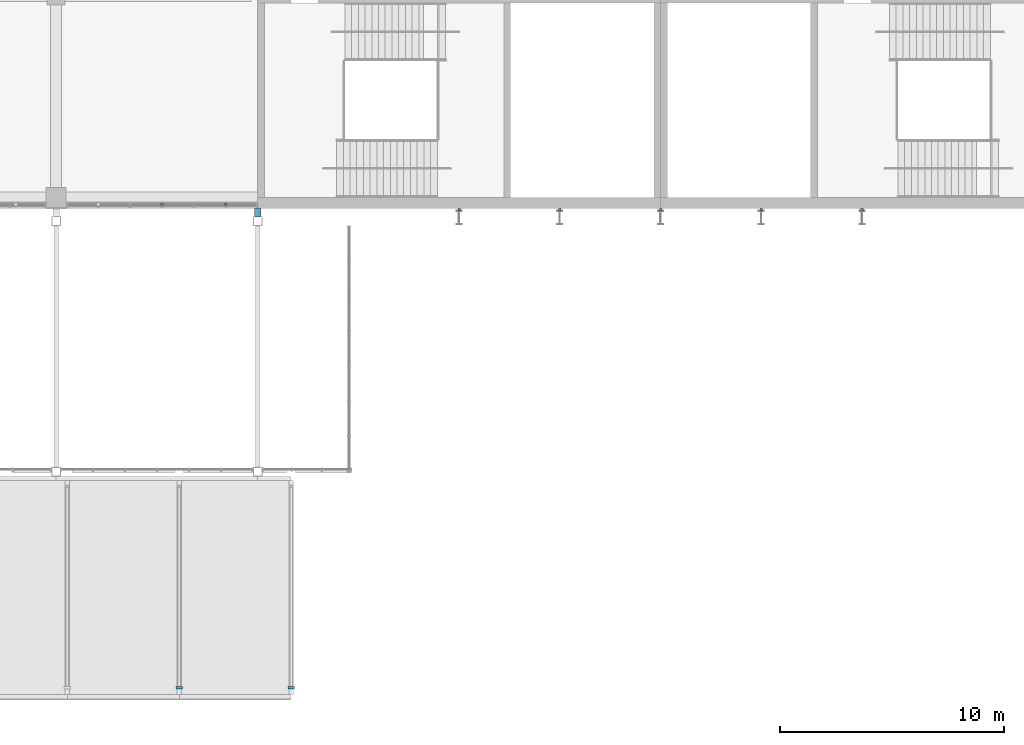
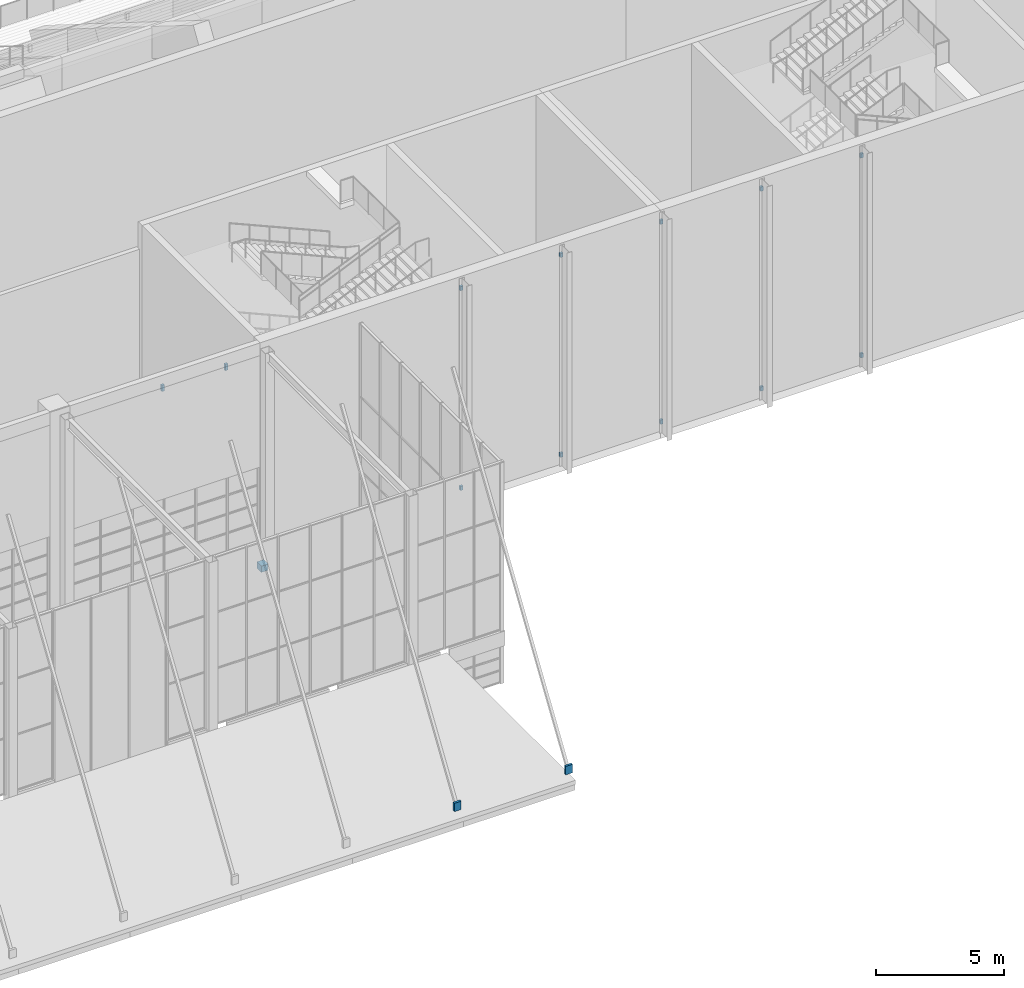
# One storey, part 117 of 182: 15 discrete accessories.
"""IFC4 building model written with IfcOpenShell, lengths in metres."""

from ifc_helpers import new_model, si_unit, direction, frame, origin, origin_2d, place, context, subcontext, project, spatial, rectangle, extrude, material, type_object, element, save


model = new_model("IFC4")

# Units and contexts
model_context = context("Model", 3, precision=1e-05, world=origin(), true_north=direction((0.0, 1.0)))
body_context = subcontext(model_context, "Body", "Model", "MODEL_VIEW")
ifc_project = project(units=[si_unit("LENGTHUNIT", "METRE"), si_unit("AREAUNIT", "SQUARE_METRE"), si_unit("VOLUMEUNIT", "CUBIC_METRE"), si_unit("PLANEANGLEUNIT", "RADIAN"), si_unit("MASSUNIT", "GRAM", prefix="KILO")], contexts=[model_context])

# Site, building, storey
site_placement = place(None, origin())
site = spatial("IfcSite", under=ifc_project, at=site_placement, CompositionType="ELEMENT")
building_placement = place(site_placement, origin())
building = spatial("IfcBuilding", under=site, at=building_placement, Name="Silverbay Arena", CompositionType="ELEMENT")
storey_placement = place(building_placement, frame((0.0, 0.0, 11.5)))
storey = spatial("IfcBuildingStorey", under=building, at=storey_placement, Name="L02", CompositionType="ELEMENT", Elevation=11.5)

# Discrete accessories
ifc_material = material(Name="Steel S355", Category="steel")
discrete_accessory_type = type_object("IfcDiscreteAccessoryType", Name="Steel bracket plate", PredefinedType="BRACKET", material=ifc_material)
for number, where, z_axis, x_axis, name in (
    (1, (139.72509765625, 17.699951171875, 9.60009765625), (0.0, 0.0, 1.0), (1.0, 0.0, 0.0), "Cladding hanger bracket"),
    (2, (142.574951171875, 17.699951171875, 9.60009765625), (0.0, 0.0, 1.0), (1.0, 0.0, 0.0), "Cladding hanger bracket"),
):
    element("IfcDiscreteAccessory", number, at=place(storey_placement, frame(where, z_axis=z_axis, x_axis=x_axis)), inside=storey, type_object=discrete_accessory_type, Name=name, PredefinedType="BRACKET", context=body_context, shape_type="SweptSolid", body=[
        extrude(rectangle(XDim=0.1201171875, YDim=0.10009765625, at=origin_2d()), origin(), (0.0, 0.0, 1.0), 0.300048828125),
    ])
for number, where, z_axis, x_axis, name in (
    (3, (153.0, 17.449951171875, 0.39990234375), (0.0, 0.0, 1.0), (1.0, 0.0, 0.0), "Fin bracket"),
    (4, (153.0, 17.449951171875, 9.89990234375), (0.0, 0.0, 1.0), (1.0, 0.0, 0.0), "Fin bracket"),
    (5, (157.5, 17.449951171875, 0.39990234375), (0.0, 0.0, 1.0), (1.0, 0.0, 0.0), "Fin bracket"),
    (6, (157.5, 17.449951171875, 9.89990234375), (0.0, 0.0, 1.0), (1.0, 0.0, 0.0), "Fin bracket"),
    (7, (162.0, 17.449951171875, 0.39990234375), (0.0, 0.0, 1.0), (1.0, 0.0, 0.0), "Fin bracket"),
    (8, (162.0, 17.449951171875, 9.89990234375), (0.0, 0.0, 1.0), (1.0, 0.0, 0.0), "Fin bracket"),
    (9, (166.5, 17.449951171875, 0.39990234375), (0.0, 0.0, 1.0), (1.0, 0.0, 0.0), "Fin bracket"),
    (10, (166.5, 17.449951171875, 9.89990234375), (0.0, 0.0, 1.0), (1.0, 0.0, 0.0), "Fin bracket"),
    (11, (171.0, 17.449951171875, 0.39990234375), (0.0, 0.0, 1.0), (1.0, 0.0, 0.0), "Fin bracket"),
    (12, (171.0, 17.449951171875, 9.89990234375), (0.0, 0.0, 1.0), (1.0, 0.0, 0.0), "Fin bracket"),
):
    element("IfcDiscreteAccessory", number, at=place(storey_placement, frame(where, z_axis=z_axis, x_axis=x_axis)), inside=storey, type_object=discrete_accessory_type, Name=name, PredefinedType="BRACKET", context=body_context, shape_type="SweptSolid", body=[
        extrude(rectangle(XDim=0.1201171875, YDim=0.10009765625, at=origin_2d()), origin(), (0.0, 0.0, 1.0), 0.199951171875),
    ])
discrete_accessory_placement = place(storey_placement, frame((144.0, 17.324951171875, -0.14990234375), z_axis=(0.0, 0.0, 1.0), x_axis=(1.0, 0.0, 0.0)))
element("IfcDiscreteAccessory", 13, at=discrete_accessory_placement, inside=storey, type_object=discrete_accessory_type, Name="Hall column bracket plate", PredefinedType="BRACKET", context=body_context, shape_type="SweptSolid", body=[
    extrude(rectangle(XDim=0.300048828125, YDim=0.35009765625, at=origin_2d()), origin(), (0.0, 0.0, 1.0), 0.300048828125),
])
for number, where, z_axis, x_axis, name in (
    (14, (140.5, -3.89990234375, 2.5), (0.0, 0.0, 1.0), (1.0, 0.0, 0.0), "Canopy tie edge lug plate"),
    (15, (145.5, -3.89990234375, 2.5), (0.0, 0.0, 1.0), (1.0, 0.0, 0.0), "Canopy tie edge lug plate"),
):
    element("IfcDiscreteAccessory", number, at=place(storey_placement, frame(where, z_axis=z_axis, x_axis=x_axis)), inside=storey, type_object=discrete_accessory_type, Name=name, PredefinedType="BRACKET", context=body_context, shape_type="SweptSolid", body=[
        extrude(rectangle(XDim=0.300048828125, YDim=0.10009765625, at=origin_2d()), origin(), (0.0, 0.0, 1.0), 0.39990234375),
    ])

save(model, "model.ifc")
